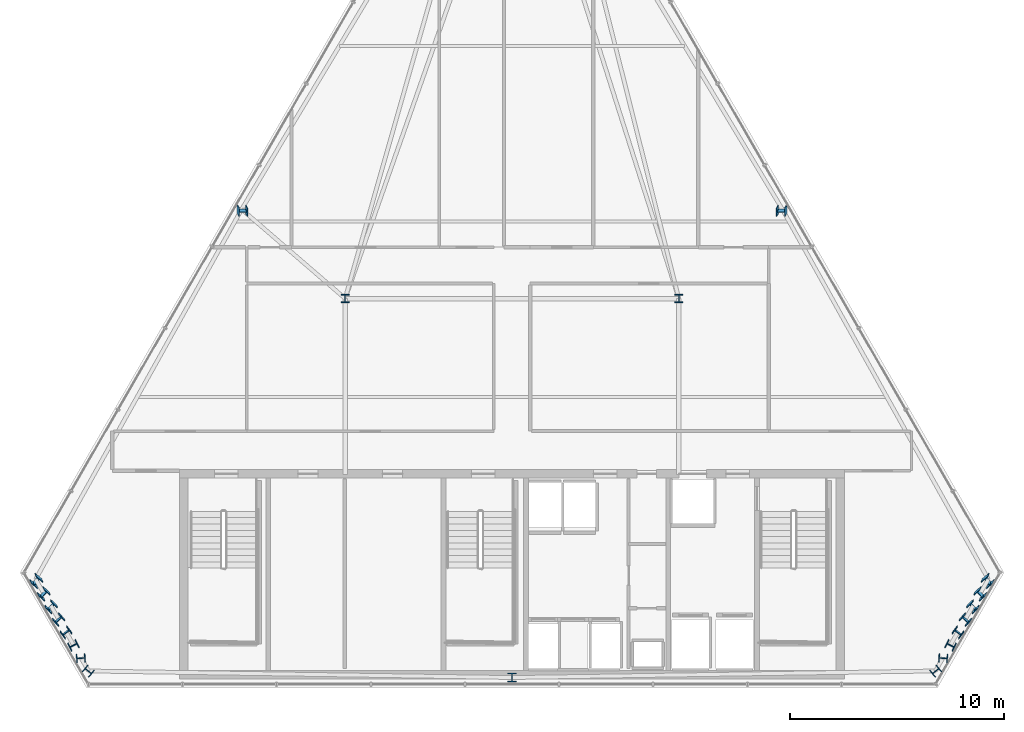
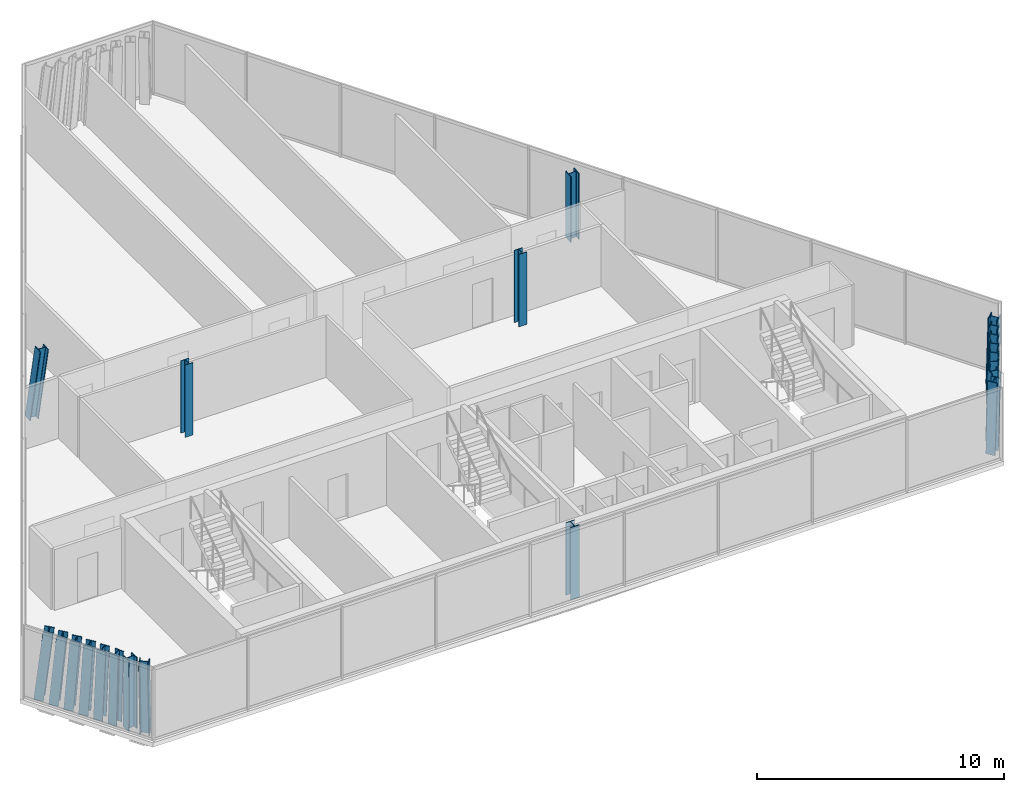
# One storey, part 1 of 32: 21 columns.
"""IFC4 building model written with IfcOpenShell, lengths in metres."""

from ifc_helpers import new_model, si_unit, direction, frame, origin, origin_2d, place, context, subcontext, project, spatial, i_section, extrude, material, material_profile, profile_set, type_object, element, save


model = new_model("IFC4")

# Units and contexts
model_context = context("Model", 3, precision=1e-05, world=origin(), true_north=direction((0.0, 1.0)))
body_context = subcontext(model_context, "Body", "Model", "MODEL_VIEW")
ifc_project = project(units=[si_unit("LENGTHUNIT", "METRE"), si_unit("AREAUNIT", "SQUARE_METRE"), si_unit("VOLUMEUNIT", "CUBIC_METRE"), si_unit("PLANEANGLEUNIT", "RADIAN"), si_unit("MASSUNIT", "GRAM", prefix="KILO")], contexts=[model_context])

# Site, building, storey
site_placement = place(None, origin())
site = spatial("IfcSite", under=ifc_project, at=site_placement, CompositionType="ELEMENT")
building_placement = place(site_placement, origin())
building = spatial("IfcBuilding", under=site, at=building_placement, Name="Ndaravel Arena Tower", CompositionType="ELEMENT")
storey_placement = place(building_placement, frame((0.0, 0.0, 259.800048828125)))
storey = spatial("IfcBuildingStorey", under=building, at=storey_placement, Name="L63", CompositionType="ELEMENT", Elevation=259.800048828125)

# Columns
ifc_material_1 = material(Name="Steel S355", Category="steel")
ifc_material_profile_1 = material_profile(ifc_material_1, i_section(OverallWidth=0.374755859375, OverallDepth=0.37451171875, WebThickness=0.0166015625, FlangeThickness=0.027099609375, FilletRadius=0.01513671875, at=origin_2d()), Name="UC 356x368x202")
ifc_profile_set_1 = profile_set([ifc_material_profile_1], Name="Steel S355")
column_type_1 = type_object("IfcColumnType", Name="COL-CRN-UC202", PredefinedType="COLUMN", material=ifc_profile_set_1)
for number, where, z_axis, x_axis, name in (
    (1, (34.199951171875, 23.199951171875, 0.0), (0.0, 0.0, 1.0), (1.0, 0.0, 0.0), "L63 Interior Spine Column IC-01"),
    (2, (49.800048828125, 23.199951171875, 0.0), (0.0, 0.0, 1.0), (1.0, 0.0, 0.0), "L63 Interior Spine Column IC-02"),
):
    element("IfcColumn", number, at=place(storey_placement, frame(where, z_axis=z_axis, x_axis=x_axis)), inside=storey, type_object=column_type_1, Name=name, PredefinedType="COLUMN", context=body_context, shape_type="SweptSolid", body=[
        extrude(i_section(OverallWidth=0.374755859375, OverallDepth=0.37451171875, WebThickness=0.0166015625, FlangeThickness=0.027099609375, FilletRadius=0.01513671875, at=origin_2d()), origin(), (0.0, 0.0, 1.0), 3.579833984375),
    ])
ifc_material_2 = material(Name="Steel S355", Category="steel")
ifc_material_profile_2 = material_profile(ifc_material_2, i_section(OverallWidth=0.406005859375, OverallDepth=0.416015625, WebThickness=0.02978515625, FlangeThickness=0.03662109375, FilletRadius=0.014892578125, at=origin_2d()), Name="HD 400x382")
ifc_profile_set_2 = profile_set([ifc_material_profile_2], Name="Steel S355")
column_type_2 = type_object("IfcColumnType", Name="COL-TUBE-HD382", PredefinedType="COLUMN", material=ifc_profile_set_2)
column_1_placement = place(storey_placement, frame((42.0, 5.47998046875, 0.0), z_axis=(0.0, 0.0, 1.0), x_axis=(1.0, 0.0, 0.0)))
element("IfcColumn", 3, at=column_1_placement, inside=storey, type_object=column_type_2, Name="L63 Framed Tube Column TC-01", PredefinedType="COLUMN", context=body_context, shape_type="SweptSolid", body=[
    extrude(i_section(OverallWidth=0.406005859375, OverallDepth=0.416015625, WebThickness=0.02978515625, FlangeThickness=0.03662109375, FilletRadius=0.014892578125, at=origin_2d()), origin(), (0.0, 0.0, 1.0), 3.579833984375),
])
column_2_placement = place(storey_placement, frame((61.794921875, 5.7861328125, 0.0), z_axis=(0.022499111872, -0.008522390861, 0.999710537515), x_axis=(-0.632523877391, 0.774260559272, 0.020835807778)))
element("IfcColumn", 4, at=column_2_placement, inside=storey, type_object=column_type_2, Name="L63 Framed Tube Column TC-02", PredefinedType="COLUMN", context=body_context, shape_type="SweptSolid", body=[
    extrude(i_section(OverallWidth=0.406005859375, OverallDepth=0.416015625, WebThickness=0.02978515625, FlangeThickness=0.03662109375, FilletRadius=0.014892578125, at=origin_2d()), origin(), (0.0, 0.0, 1.0), 3.580810546875),
])
column_3_placement = place(storey_placement, frame((62.148681640625, 6.398681640625, 0.0), z_axis=(0.012543459199, -0.025700457164, 0.999590990422), x_axis=(0.069645069236, 0.997264345813, 0.024766689329)))
element("IfcColumn", 5, at=column_3_placement, inside=storey, type_object=column_type_2, Name="L63 Framed Tube Column TC-03", PredefinedType="COLUMN", context=body_context, shape_type="SweptSolid", body=[
    extrude(i_section(OverallWidth=0.406005859375, OverallDepth=0.416015625, WebThickness=0.02978515625, FlangeThickness=0.03662109375, FilletRadius=0.014892578125, at=origin_2d()), origin(), (0.0, 0.0, 1.0), 3.581298828125),
])
column_4_placement = place(storey_placement, frame((62.502197265625, 7.01123046875, 0.0), z_axis=(0.002657310403, -0.042789511113, 0.999080575549), x_axis=(0.445409548678, 0.894556779236, 0.037128192386)))
element("IfcColumn", 6, at=column_4_placement, inside=storey, type_object=column_type_2, Name="L63 Framed Tube Column TC-04", PredefinedType="COLUMN", context=body_context, shape_type="SweptSolid", body=[
    extrude(i_section(OverallWidth=0.406005859375, OverallDepth=0.416015625, WebThickness=0.02978515625, FlangeThickness=0.03662109375, FilletRadius=0.014892578125, at=origin_2d()), origin(), (0.0, 0.0, 1.0), 3.5830078125),
])
column_5_placement = place(storey_placement, frame((62.855712890625, 7.623779296875, 0.0), z_axis=(-0.007215908337, -0.059905654117, 0.998177961724), x_axis=(0.599791024145, 0.798448595596, 0.052254832755)))
element("IfcColumn", 7, at=column_5_placement, inside=storey, type_object=column_type_2, Name="L63 Framed Tube Column TC-05", PredefinedType="COLUMN", context=body_context, shape_type="SweptSolid", body=[
    extrude(i_section(OverallWidth=0.406005859375, OverallDepth=0.416015625, WebThickness=0.02978515625, FlangeThickness=0.03662109375, FilletRadius=0.014892578125, at=origin_2d()), origin(), (0.0, 0.0, 1.0), 3.58642578125),
])
column_6_placement = place(storey_placement, frame((63.20947265625, 8.236083984375, 0.0), z_axis=(-0.017064735315, -0.076893289409, 0.99689328258), x_axis=(0.67517089235, 0.734500802425, 0.068211709849)))
element("IfcColumn", 8, at=column_6_placement, inside=storey, type_object=column_type_2, Name="L63 Framed Tube Column TC-06", PredefinedType="COLUMN", context=body_context, shape_type="SweptSolid", body=[
    extrude(i_section(OverallWidth=0.406005859375, OverallDepth=0.416015625, WebThickness=0.02978515625, FlangeThickness=0.03662109375, FilletRadius=0.014892578125, at=origin_2d()), origin(), (0.0, 0.0, 1.0), 3.591064453125),
])
column_7_placement = place(storey_placement, frame((63.56298828125, 8.8486328125, 0.0), z_axis=(-0.026877706532, -0.093868353874, 0.995221744654), x_axis=(0.717936594884, 0.690953534256, 0.084559205446)))
element("IfcColumn", 9, at=column_7_placement, inside=storey, type_object=column_type_2, Name="L63 Framed Tube Column TC-07", PredefinedType="COLUMN", context=body_context, shape_type="SweptSolid", body=[
    extrude(i_section(OverallWidth=0.406005859375, OverallDepth=0.416015625, WebThickness=0.02978515625, FlangeThickness=0.03662109375, FilletRadius=0.014892578125, at=origin_2d()), origin(), (0.0, 0.0, 1.0), 3.596923828125),
])
column_8_placement = place(storey_placement, frame((63.916748046875, 9.461181640625, 0.0), z_axis=(-0.036711351122, -0.110743651449, 0.993170740791), x_axis=(0.74524466961, 0.659091399344, 0.101039149482)))
element("IfcColumn", 10, at=column_8_placement, inside=storey, type_object=column_type_2, Name="L63 Framed Tube Column TC-08", PredefinedType="COLUMN", context=body_context, shape_type="SweptSolid", body=[
    extrude(i_section(OverallWidth=0.406005859375, OverallDepth=0.416015625, WebThickness=0.02978515625, FlangeThickness=0.03662109375, FilletRadius=0.014892578125, at=origin_2d()), origin(), (0.0, 0.0, 1.0), 3.6044921875),
])
column_9_placement = place(storey_placement, frame((64.270263671875, 10.073486328125, 0.0), z_axis=(-0.046420109636, -0.127368131971, 0.990768657346), x_axis=(0.763582650894, 0.634947584087, 0.117401451079)))
element("IfcColumn", 11, at=column_9_placement, inside=storey, type_object=column_type_2, Name="L63 Framed Tube Column TC-09", PredefinedType="COLUMN", context=body_context, shape_type="SweptSolid", body=[
    extrude(i_section(OverallWidth=0.406005859375, OverallDepth=0.416015625, WebThickness=0.02978515625, FlangeThickness=0.03662109375, FilletRadius=0.014892578125, at=origin_2d()), origin(), (0.0, 0.0, 1.0), 3.61328125),
])
for number, where, z_axis, x_axis, name in (
    (12, (54.63818359375, 27.36962890625, 0.0), (-0.064983976796, -0.112454061823, 0.991529710467), (-0.003279527066, 0.993648639991, 0.112479442324), "L63 Framed Tube Column TC-10"),
    (13, (29.362060546875, 27.36962890625, 0.0), (0.064916640707, -0.112454555725, 0.991534065303), (0.003725683455, 0.99365032646, 0.112450646988), "L63 Framed Tube Column TC-19"),
):
    element("IfcColumn", number, at=place(storey_placement, frame(where, z_axis=z_axis, x_axis=x_axis)), inside=storey, type_object=column_type_2, Name=name, PredefinedType="COLUMN", context=body_context, shape_type="SweptSolid", body=[
        extrude(i_section(OverallWidth=0.406005859375, OverallDepth=0.416015625, WebThickness=0.02978515625, FlangeThickness=0.03662109375, FilletRadius=0.014892578125, at=origin_2d()), origin(), (0.0, 0.0, 1.0), 3.6103515625),
    ])
column_10_placement = place(storey_placement, frame((19.729736328125, 10.073486328125, 0.0), z_axis=(0.046420109636, -0.127368131971, 0.990768657346), x_axis=(-0.763582650894, 0.634947584087, 0.117401451079)))
element("IfcColumn", 14, at=column_10_placement, inside=storey, type_object=column_type_2, Name="L63 Framed Tube Column TC-20", PredefinedType="COLUMN", context=body_context, shape_type="SweptSolid", body=[
    extrude(i_section(OverallWidth=0.406005859375, OverallDepth=0.416015625, WebThickness=0.02978515625, FlangeThickness=0.03662109375, FilletRadius=0.014892578125, at=origin_2d()), origin(), (0.0, 0.0, 1.0), 3.61328125),
])
column_11_placement = place(storey_placement, frame((20.083251953125, 9.461181640625, 0.0), z_axis=(0.036711351122, -0.110743651449, 0.993170740791), x_axis=(-0.74524466961, 0.659091399344, 0.101039149482)))
element("IfcColumn", 15, at=column_11_placement, inside=storey, type_object=column_type_2, Name="L63 Framed Tube Column TC-21", PredefinedType="COLUMN", context=body_context, shape_type="SweptSolid", body=[
    extrude(i_section(OverallWidth=0.406005859375, OverallDepth=0.416015625, WebThickness=0.02978515625, FlangeThickness=0.03662109375, FilletRadius=0.014892578125, at=origin_2d()), origin(), (0.0, 0.0, 1.0), 3.6044921875),
])
column_12_placement = place(storey_placement, frame((20.43701171875, 8.8486328125, 0.0), z_axis=(0.026877706532, -0.093868353874, 0.995221744654), x_axis=(-0.717936594884, 0.690953534256, 0.084559205446)))
element("IfcColumn", 16, at=column_12_placement, inside=storey, type_object=column_type_2, Name="L63 Framed Tube Column TC-22", PredefinedType="COLUMN", context=body_context, shape_type="SweptSolid", body=[
    extrude(i_section(OverallWidth=0.406005859375, OverallDepth=0.416015625, WebThickness=0.02978515625, FlangeThickness=0.03662109375, FilletRadius=0.014892578125, at=origin_2d()), origin(), (0.0, 0.0, 1.0), 3.596923828125),
])
column_13_placement = place(storey_placement, frame((20.79052734375, 8.236083984375, 0.0), z_axis=(0.017064735315, -0.076893289409, 0.99689328258), x_axis=(-0.67517089235, 0.734500802425, 0.068211709849)))
element("IfcColumn", 17, at=column_13_placement, inside=storey, type_object=column_type_2, Name="L63 Framed Tube Column TC-23", PredefinedType="COLUMN", context=body_context, shape_type="SweptSolid", body=[
    extrude(i_section(OverallWidth=0.406005859375, OverallDepth=0.416015625, WebThickness=0.02978515625, FlangeThickness=0.03662109375, FilletRadius=0.014892578125, at=origin_2d()), origin(), (0.0, 0.0, 1.0), 3.591064453125),
])
column_14_placement = place(storey_placement, frame((21.144287109375, 7.623779296875, 0.0), z_axis=(0.007215908337, -0.059905654117, 0.998177961724), x_axis=(-0.599791024145, 0.798448595596, 0.052254832755)))
element("IfcColumn", 18, at=column_14_placement, inside=storey, type_object=column_type_2, Name="L63 Framed Tube Column TC-24", PredefinedType="COLUMN", context=body_context, shape_type="SweptSolid", body=[
    extrude(i_section(OverallWidth=0.406005859375, OverallDepth=0.416015625, WebThickness=0.02978515625, FlangeThickness=0.03662109375, FilletRadius=0.014892578125, at=origin_2d()), origin(), (0.0, 0.0, 1.0), 3.58642578125),
])
column_15_placement = place(storey_placement, frame((21.497802734375, 7.01123046875, 0.0), z_axis=(-0.002657310403, -0.042789511113, 0.999080575549), x_axis=(-0.445409548678, 0.894556779236, 0.037128192386)))
element("IfcColumn", 19, at=column_15_placement, inside=storey, type_object=column_type_2, Name="L63 Framed Tube Column TC-25", PredefinedType="COLUMN", context=body_context, shape_type="SweptSolid", body=[
    extrude(i_section(OverallWidth=0.406005859375, OverallDepth=0.416015625, WebThickness=0.02978515625, FlangeThickness=0.03662109375, FilletRadius=0.014892578125, at=origin_2d()), origin(), (0.0, 0.0, 1.0), 3.5830078125),
])
column_16_placement = place(storey_placement, frame((21.851318359375, 6.398681640625, 0.0), z_axis=(-0.012543459199, -0.025700457164, 0.999590990422), x_axis=(-0.069645069236, 0.997264345813, 0.024766689329)))
element("IfcColumn", 20, at=column_16_placement, inside=storey, type_object=column_type_2, Name="L63 Framed Tube Column TC-26", PredefinedType="COLUMN", context=body_context, shape_type="SweptSolid", body=[
    extrude(i_section(OverallWidth=0.406005859375, OverallDepth=0.416015625, WebThickness=0.02978515625, FlangeThickness=0.03662109375, FilletRadius=0.014892578125, at=origin_2d()), origin(), (0.0, 0.0, 1.0), 3.581298828125),
])
column_17_placement = place(storey_placement, frame((22.205078125, 5.7861328125, 0.0), z_axis=(-0.022499111872, -0.008522390861, 0.999710537515), x_axis=(0.632523877391, 0.774260559272, 0.020835807778)))
element("IfcColumn", 21, at=column_17_placement, inside=storey, type_object=column_type_2, Name="L63 Framed Tube Column TC-27", PredefinedType="COLUMN", context=body_context, shape_type="SweptSolid", body=[
    extrude(i_section(OverallWidth=0.406005859375, OverallDepth=0.416015625, WebThickness=0.02978515625, FlangeThickness=0.03662109375, FilletRadius=0.014892578125, at=origin_2d()), origin(), (0.0, 0.0, 1.0), 3.580810546875),
])

save(model, "model.ifc")
